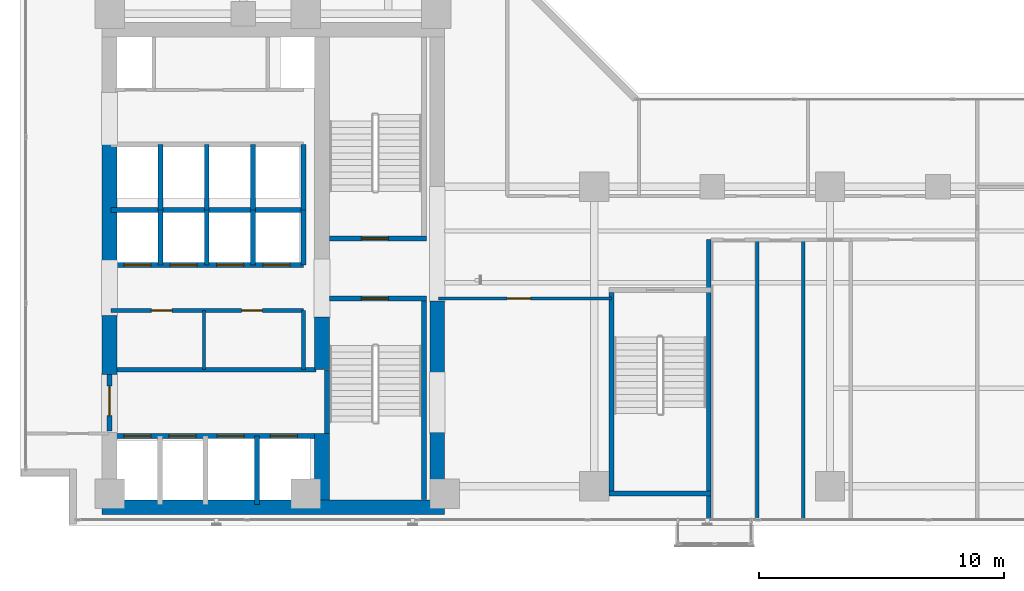
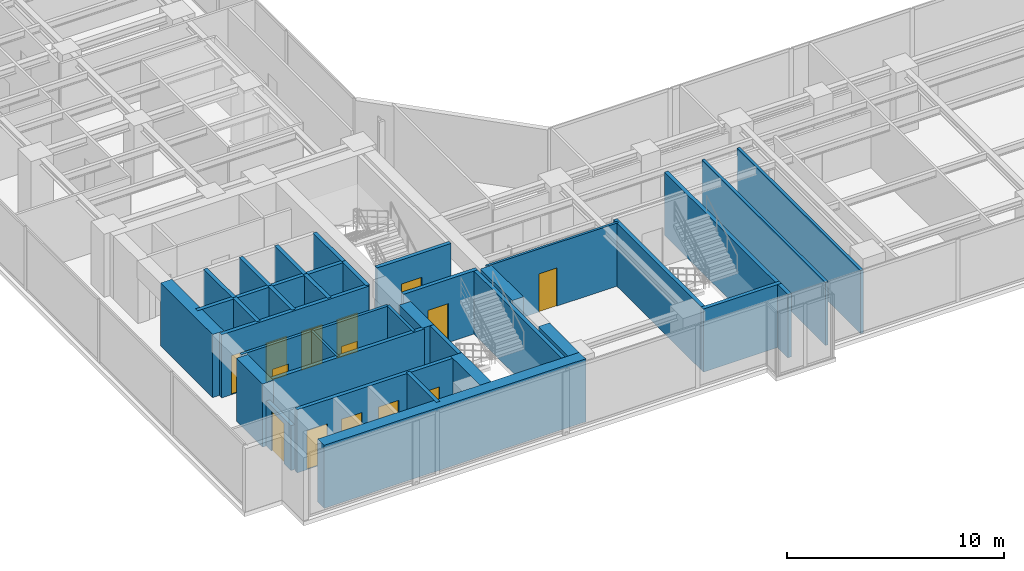
# One storey, part 19 of 23: 34 walls, 14 doors, 14 openings.
"""IFC4 building model written with IfcOpenShell, lengths in metres."""

from ifc_helpers import new_model, si_unit, direction, frame, frame_2d, origin, place, context, subcontext, project, spatial, rectangle, extrude, material, layer, layer_set, type_object, element, fill, save


model = new_model("IFC4")

# Units and contexts
model_context = context("Model", 3, precision=1e-05, world=origin(), true_north=direction((0.0, 1.0)))
body_context = subcontext(model_context, "Body", "Model", "MODEL_VIEW")
ifc_project = project(units=[si_unit("LENGTHUNIT", "METRE"), si_unit("AREAUNIT", "SQUARE_METRE"), si_unit("VOLUMEUNIT", "CUBIC_METRE"), si_unit("PLANEANGLEUNIT", "RADIAN"), si_unit("MASSUNIT", "GRAM", prefix="KILO")], contexts=[model_context])

# Site, building, storey
site_placement = place(None, origin())
site = spatial("IfcSite", under=ifc_project, at=site_placement, CompositionType="ELEMENT")
building_placement = place(site_placement, origin())
building = spatial("IfcBuilding", under=site, at=building_placement, Name="Kolvaren Waterfront Exchange", CompositionType="ELEMENT")
storey_placement = place(building_placement, frame((0.0, 0.0, 188.0)))
storey = spatial("IfcBuildingStorey", under=building, at=storey_placement, Name="L48", CompositionType="ELEMENT", Elevation=188.0)

# Wall, opening, door
ifc_material_1 = material(Name="Precast concrete C40/50", Category="concrete")
ifc_layer_1 = layer(ifc_material_1, 0.199951171875, Name="Precast concrete C40/50")
ifc_layer_set_1 = layer_set([ifc_layer_1], Name="Precast concrete C40/50")
wall_type_1 = type_object("IfcWallType", Name="ARC-FIRE-200", PredefinedType="PARTITIONING", material=ifc_layer_set_1)
wall_1_placement = place(storey_placement, frame((16.39990234375, 12.85009765625, 0.0), z_axis=(0.0, 0.0, 1.0), x_axis=(1.0, 0.0, 0.0)))
wall_1 = element("IfcWall", 1, at=wall_1_placement, inside=storey, type_object=wall_type_1, Name="L48 interior wall PW-L48-ST1-THROAT-S", PredefinedType="PARTITIONING", context=body_context, shape_type="SweptSolid", body=[
    extrude(rectangle(XDim=3.960205078125, YDim=0.199951171875, at=frame_2d((1.97998046875, 0.0))), origin(), (0.0, 0.0, 1.0), 3.56005859375),
])
opening_1_placement = place(wall_1_placement, frame((1.3037109375, 0.0, 0.0)))
opening_1 = element("IfcOpeningElement", 2, at=opening_1_placement, cuts=wall_1, Name="Opening FD2", PredefinedType="OPENING", context=body_context, shape_type="SweptSolid", body=[
    extrude(rectangle(XDim=1.10009765625, YDim=2.199951171875, at=frame_2d((0.550048828125, 1.10009765625))), frame((0.0, 0.10986328125, 0.0), z_axis=(0.0, -1.0, 0.0), x_axis=(1.0, 0.0, 0.0)), (0.0, 0.0, 1.0), 0.219970703125),
])
ifc_material_2 = material(Name="Pressed steel smoke-seal fire door", Category="steel")
door_type_1 = type_object("IfcDoorType", Name="ARC-FD-1100", OperationType="NOTDEFINED", PredefinedType="DOOR", material=ifc_material_2)
door_1_placement = place(opening_1_placement, frame((1.10009765625, 0.0, 0.0), z_axis=(0.0, 0.0, 1.0), x_axis=(-1.0, 0.0, 0.0)))
door_1 = element("IfcDoor", 3, at=door_1_placement, inside=storey, type_object=door_type_1, Name="L48 door DR-L48-ST1-IN (FD2)", OperationType="SINGLE_SWING_RIGHT", OverallHeight=2.199951171875, OverallWidth=1.10009765625, PredefinedType="DOOR", context=body_context, shape_type="SweptSolid", body=[
    extrude(rectangle(XDim=1.10009765625, YDim=2.199951171875, at=frame_2d((0.550048828125, 1.10009765625))), frame((0.0, 0.02490234375, 0.0), z_axis=(0.0, -1.0, 0.0), x_axis=(1.0, 0.0, 0.0)), (0.0, 0.0, 1.0), 0.050048828125),
])
fill(opening_1, door_1)

wall_2_placement = place(storey_placement, frame((16.409912109375, 15.300048828125, 0.0), z_axis=(0.0, 0.0, 1.0), x_axis=(1.0, 0.0, 0.0)))
wall_2 = element("IfcWall", 4, at=wall_2_placement, inside=storey, type_object=wall_type_1, Name="L48 interior wall PW-L48-ST2-THROAT-N", PredefinedType="PARTITIONING", context=body_context, shape_type="SweptSolid", body=[
    extrude(rectangle(XDim=3.9501953125, YDim=0.199951171875, at=frame_2d((1.97509765625, 0.0))), origin(), (0.0, 0.0, 1.0), 3.56005859375),
])
opening_2_placement = place(wall_2_placement, frame((1.293701171875, 0.0, 0.0)))
opening_2 = element("IfcOpeningElement", 5, at=opening_2_placement, cuts=wall_2, Name="Opening FD2", PredefinedType="OPENING", context=body_context, shape_type="SweptSolid", body=[
    extrude(rectangle(XDim=1.10009765625, YDim=2.199951171875, at=frame_2d((0.550048828125, 1.10009765625))), frame((0.0, 0.10986328125, 0.0), z_axis=(0.0, -1.0, 0.0), x_axis=(1.0, 0.0, 0.0)), (0.0, 0.0, 1.0), 0.219970703125),
])
door_2_placement = place(opening_2_placement, origin())
door_2 = element("IfcDoor", 6, at=door_2_placement, inside=storey, type_object=door_type_1, Name="L48 door DR-L48-ST2-IN (FD2)", OperationType="SINGLE_SWING_LEFT", OverallHeight=2.199951171875, OverallWidth=1.10009765625, PredefinedType="DOOR", context=body_context, shape_type="SweptSolid", body=[
    extrude(rectangle(XDim=1.10009765625, YDim=2.199951171875, at=frame_2d((0.550048828125, 1.10009765625))), frame((0.0, 0.02490234375, 0.0), z_axis=(0.0, -1.0, 0.0), x_axis=(1.0, 0.0, 0.0)), (0.0, 0.0, 1.0), 0.050048828125),
])
fill(opening_2, door_2)

# Wall
wall_3_placement = place(storey_placement, frame((7.5, 9.949951171875, 0.0), z_axis=(0.0, 0.0, 1.0), x_axis=(1.0, 0.0, 0.0)))
element("IfcWall", 7, at=wall_3_placement, inside=storey, type_object=wall_type_1, Name="L48 interior wall PW-L48-FF-N", PredefinedType="PARTITIONING", context=body_context, shape_type="SweptSolid", body=[
    extrude(rectangle(XDim=8.35009765625, YDim=0.199951171875, at=frame_2d((4.175048828125, 0.0))), origin(), (0.0, 0.0, 1.0), 3.56005859375),
])

# Wall, opening, door
wall_4_placement = place(storey_placement, frame((7.449951171875, 7.449951171875, 0.0), z_axis=(0.0, 0.0, 1.0), x_axis=(0.0, 1.0, 0.0)))
wall_4 = element("IfcWall", 8, at=wall_4_placement, inside=storey, type_object=wall_type_1, Name="L48 interior wall PW-L48-FF-W-DOOR", PredefinedType="PARTITIONING", context=body_context, shape_type="SweptSolid", body=[
    extrude(rectangle(XDim=2.300048828125, YDim=0.199951171875, at=frame_2d((1.14990234375, 0.0))), origin(), (0.0, 0.0, 1.0), 2.5400390625),
])
opening_3_placement = place(wall_4_placement, frame((0.63330078125, 0.0, 0.0)))
opening_3 = element("IfcOpeningElement", 9, at=opening_3_placement, cuts=wall_4, Name="Opening FD3", PredefinedType="OPENING", context=body_context, shape_type="SweptSolid", body=[
    extrude(rectangle(XDim=1.199951171875, YDim=2.25, at=frame_2d((0.60009765625, 1.125))), frame((0.0, 0.10986328125, 0.0), z_axis=(0.0, -1.0, 0.0), x_axis=(1.0, 0.0, 0.0)), (0.0, 0.0, 1.0), 0.219970703125),
])
ifc_material_3 = material(Name="Pressed steel fire door", Category="steel")
door_type_2 = type_object("IfcDoorType", Name="ARC-FD-1200", OperationType="NOTDEFINED", PredefinedType="DOOR", material=ifc_material_3)
door_3_placement = place(opening_3_placement, frame((1.199951171875, 0.0, 0.0), z_axis=(0.0, 0.0, 1.0), x_axis=(-1.0, 0.0, 0.0)))
door_3 = element("IfcDoor", 10, at=door_3_placement, inside=storey, type_object=door_type_2, Name="L48 door DR-L48-FF-OUT (FD3)", OperationType="SINGLE_SWING_LEFT", OverallHeight=2.25, OverallWidth=1.199951171875, PredefinedType="DOOR", context=body_context, shape_type="SweptSolid", body=[
    extrude(rectangle(XDim=1.199951171875, YDim=2.25, at=frame_2d((0.60009765625, 1.125))), frame((0.0, 0.02490234375, 0.0), z_axis=(0.0, -1.0, 0.0), x_axis=(1.0, 0.0, 0.0)), (0.0, 0.0, 1.0), 0.050048828125),
])
fill(opening_3, door_3)

# Wall
ifc_material_4 = material(Name="Acoustic gypsum steel stud", Category="steel")
ifc_layer_2 = layer(ifc_material_4, 0.125, Name="Acoustic gypsum steel stud")
ifc_layer_set_2 = layer_set([ifc_layer_2], Name="Acoustic gypsum steel stud")
wall_type_2 = type_object("IfcWallType", Name="ARC-PART-125", PredefinedType="PARTITIONING", material=ifc_layer_set_2)
wall_5_placement = place(storey_placement, frame((11.300048828125, 9.949951171875, 0.0), z_axis=(0.0, 0.0, 1.0), x_axis=(0.0, 1.0, 0.0)))
element("IfcWall", 11, at=wall_5_placement, inside=storey, type_object=wall_type_2, Name="L48 interior wall PW-L48-REC-PL-MID", PredefinedType="PARTITIONING", context=body_context, shape_type="SweptSolid", body=[
    extrude(rectangle(XDim=2.41015625, YDim=0.125, at=frame_2d((1.205078125, 0.0))), origin(), (0.0, 0.0, 1.0), 3.56005859375),
])

# Wall, opening, door
wall_6_placement = place(storey_placement, frame((20.85009765625, 12.85009765625, 0.0), z_axis=(0.0, 0.0, 1.0), x_axis=(1.0, 0.0, 0.0)))
wall_6 = element("IfcWall", 12, at=wall_6_placement, inside=storey, type_object=wall_type_2, Name="L48 interior wall PW-L48-SWST3-N", PredefinedType="PARTITIONING", context=body_context, shape_type="SweptSolid", body=[
    extrude(rectangle(XDim=7.0498046875, YDim=0.125, at=frame_2d((3.52490234375, 0.0))), origin(), (0.0, 0.0, 1.0), 3.56005859375),
])
opening_4_placement = place(wall_6_placement, frame((2.800048828125, 0.0, 0.0)))
opening_4 = element("IfcOpeningElement", 13, at=opening_4_placement, cuts=wall_6, Name="Opening D02", PredefinedType="OPENING", context=body_context, shape_type="SweptSolid", body=[
    extrude(rectangle(XDim=0.949951171875, YDim=2.14990234375, at=frame_2d((0.47509765625, 1.074951171875))), frame((0.0, 0.072509765625, 0.0), z_axis=(0.0, -1.0, 0.0), x_axis=(1.0, 0.0, 0.0)), (0.0, 0.0, 1.0), 0.14501953125),
])
ifc_material_5 = material(Name="Oak veneer acoustic timber", Category="wood")
door_type_3 = type_object("IfcDoorType", Name="ARC-DR-950", OperationType="NOTDEFINED", PredefinedType="DOOR", material=ifc_material_5)
door_4_placement = place(opening_4_placement, origin())
door_4 = element("IfcDoor", 14, at=door_4_placement, inside=storey, type_object=door_type_3, Name="L48 door DR-L48-SWST3-D (D02)", OperationType="SINGLE_SWING_LEFT", OverallHeight=2.14990234375, OverallWidth=0.949951171875, PredefinedType="DOOR", context=body_context, shape_type="SweptSolid", body=[
    extrude(rectangle(XDim=0.949951171875, YDim=2.14990234375, at=frame_2d((0.47509765625, 1.074951171875))), frame((0.0, 0.02490234375, 0.0), z_axis=(0.0, -1.0, 0.0), x_axis=(1.0, 0.0, 0.0)), (0.0, 0.0, 1.0), 0.050048828125),
])
fill(opening_4, door_4)

# Wall, openings, doors
ifc_material_6 = material(Name="Gypsum fireboard steel stud", Category="steel")
ifc_layer_3 = layer(ifc_material_6, 0.14990234375, Name="Gypsum fireboard steel stud")
ifc_layer_set_3 = layer_set([ifc_layer_3], Name="Gypsum fireboard steel stud")
wall_type_3 = type_object("IfcWallType", Name="ARC-PART-150", PredefinedType="PARTITIONING", material=ifc_layer_set_3)
wall_7_placement = place(storey_placement, frame((7.5, 12.360107421875, 0.0), z_axis=(0.0, 0.0, 1.0), x_axis=(1.0, 0.0, 0.0)))
wall_7 = element("IfcWall", 15, at=wall_7_placement, inside=storey, type_object=wall_type_3, Name="L48 interior wall PW-L48-REC-PL-N", PredefinedType="PARTITIONING", context=body_context, shape_type="SweptSolid", body=[
    extrude(rectangle(XDim=7.85009765625, YDim=0.14990234375, at=frame_2d((3.925048828125, 0.0))), origin(), (0.0, 0.0, 1.0), 3.56005859375),
])
opening_5_placement = place(wall_7_placement, frame((1.64990234375, 0.0, 0.0)))
opening_5 = element("IfcOpeningElement", 16, at=opening_5_placement, cuts=wall_7, Name="Opening D01", PredefinedType="OPENING", context=body_context, shape_type="SweptSolid", body=[
    extrude(rectangle(XDim=0.85009765625, YDim=2.14990234375, at=frame_2d((0.425048828125, 1.074951171875))), frame((0.0, 0.0849609375, 0.0), z_axis=(0.0, -1.0, 0.0), x_axis=(1.0, 0.0, 0.0)), (0.0, 0.0, 1.0), 0.169921875),
])
opening_6_placement = place(wall_7_placement, frame((5.329345703125, 0.0, 0.0)))
opening_6 = element("IfcOpeningElement", 17, at=opening_6_placement, cuts=wall_7, Name="Opening D01", PredefinedType="OPENING", context=body_context, shape_type="SweptSolid", body=[
    extrude(rectangle(XDim=0.85009765625, YDim=2.14990234375, at=frame_2d((0.425048828125, 1.074951171875))), frame((0.0, 0.0849609375, 0.0), z_axis=(0.0, -1.0, 0.0), x_axis=(1.0, 0.0, 0.0)), (0.0, 0.0, 1.0), 0.169921875),
])
ifc_material_7 = material(Name="Oak veneer timber leaf", Category="wood")
door_type_4 = type_object("IfcDoorType", Name="ARC-DR-900", OperationType="NOTDEFINED", PredefinedType="DOOR", material=ifc_material_7)
door_5_placement = place(opening_5_placement, origin())
door_5 = element("IfcDoor", 18, at=door_5_placement, inside=storey, type_object=door_type_4, Name="L48 door DR-L48-REC-PL-D1 (D01)", OperationType="SINGLE_SWING_RIGHT", OverallHeight=2.14990234375, OverallWidth=0.85009765625, PredefinedType="DOOR", context=body_context, shape_type="SweptSolid", body=[
    extrude(rectangle(XDim=0.85009765625, YDim=2.14990234375, at=frame_2d((0.425048828125, 1.074951171875))), frame((0.0, 0.02490234375, 0.0), z_axis=(0.0, -1.0, 0.0), x_axis=(1.0, 0.0, 0.0)), (0.0, 0.0, 1.0), 0.050048828125),
])
fill(opening_5, door_5)
door_6_placement = place(opening_6_placement, origin())
door_6 = element("IfcDoor", 19, at=door_6_placement, inside=storey, type_object=door_type_4, Name="L48 door DR-L48-REC-PL-D2 (D01)", OperationType="SINGLE_SWING_LEFT", OverallHeight=2.14990234375, OverallWidth=0.85009765625, PredefinedType="DOOR", context=body_context, shape_type="SweptSolid", body=[
    extrude(rectangle(XDim=0.85009765625, YDim=2.14990234375, at=frame_2d((0.425048828125, 1.074951171875))), frame((0.0, 0.02490234375, 0.0), z_axis=(0.0, -1.0, 0.0), x_axis=(1.0, 0.0, 0.0)), (0.0, 0.0, 1.0), 0.050048828125),
])
fill(opening_6, door_6)

# Walls
wall_8_placement = place(storey_placement, frame((15.35009765625, 9.949951171875, 0.0), z_axis=(0.0, 0.0, 1.0), x_axis=(0.0, 1.0, 0.0)))
element("IfcWall", 20, at=wall_8_placement, inside=storey, type_object=wall_type_3, Name="L48 interior wall PW-L48-REC-PL-E", PredefinedType="PARTITIONING", context=body_context, shape_type="SweptSolid", body=[
    extrude(rectangle(XDim=2.41015625, YDim=0.14990234375, at=frame_2d((1.205078125, 0.0))), origin(), (0.0, 0.0, 1.0), 3.56005859375),
])
ifc_material_8 = material(Name="Moisture-resistant gypsum stud")
ifc_layer_4 = layer(ifc_material_8, 0.14990234375, Name="Moisture-resistant gypsum stud")
ifc_layer_set_4 = layer_set([ifc_layer_4], Name="Moisture-resistant gypsum stud")
wall_type_4 = type_object("IfcWallType", Name="ARC-PLUMB-150", PredefinedType="PLUMBINGWALL", material=ifc_layer_set_4)
for number, where, z_axis, x_axis, name in (
    (21, (33.830078125, 3.840087890625, 0.0), (0.0, 0.0, 1.0), (0.0, 1.0, 0.0), "L48 interior wall PW-L48-WC-1"),
    (22, (35.7099609375, 3.840087890625, 0.0), (0.0, 0.0, 1.0), (0.0, 1.0, 0.0), "L48 interior wall PW-L48-WC-2"),
):
    element("IfcWall", number, at=place(storey_placement, frame(where, z_axis=z_axis, x_axis=x_axis)), inside=storey, type_object=wall_type_4, Name=name, PredefinedType="PLUMBINGWALL", context=body_context, shape_type="SweptSolid", body=[
        extrude(rectangle(XDim=11.409912109375, YDim=0.14990234375, at=frame_2d((5.705078125, 0.0))), origin(), (0.0, 0.0, 1.0), 3.56005859375),
    ])
ifc_material_9 = material(Name="Concrete C40/50", Category="concrete")
ifc_layer_5 = layer(ifc_material_9, 0.199951171875, Name="Concrete C40/50")
ifc_layer_set_5 = layer_set([ifc_layer_5], Name="Concrete C40/50")
wall_type_5 = type_object("IfcWallType", Name="ARC-SHAFT-200", PredefinedType="PARTITIONING", material=ifc_layer_set_5)
wall_9_placement = place(storey_placement, frame((16.300048828125, 7.360107421875, 0.0), z_axis=(0.0, 0.0, 1.0), x_axis=(0.0, 1.0, 0.0)))
element("IfcWall", 23, at=wall_9_placement, inside=storey, type_object=wall_type_5, Name="L48 structural stairwell wall PW-L48-ST1-W", PredefinedType="SHEAR", context=body_context, shape_type="SweptSolid", body=[
    extrude(rectangle(XDim=2.579833984375, YDim=0.199951171875, at=frame_2d((1.2900390625, 0.0))), origin(), (0.0, 0.0, 1.0), 3.56005859375),
])
wall_10_placement = place(storey_placement, frame((20.260009765625, 4.659912109375, 0.0), z_axis=(0.0, 0.0, 1.0), x_axis=(0.0, 1.0, 0.0)))
element("IfcWall", 24, at=wall_10_placement, inside=storey, type_object=wall_type_5, Name="L48 structural stairwell wall PW-L48-ST1-E", PredefinedType="SHEAR", context=body_context, shape_type="SweptSolid", body=[
    extrude(rectangle(XDim=8.090087890625, YDim=0.199951171875, at=frame_2d((4.044921875, 0.0))), origin(), (0.0, 0.0, 1.0), 3.56005859375),
])
wall_11_placement = place(storey_placement, frame((27.89990234375, 5.0, 0.0), z_axis=(0.0, 0.0, 1.0), x_axis=(0.0, 1.0, 0.0)))
element("IfcWall", 25, at=wall_11_placement, inside=storey, type_object=wall_type_5, Name="L48 structural stairwell wall PW-L48-ST3-W", PredefinedType="SHEAR", context=body_context, shape_type="SweptSolid", body=[
    extrude(rectangle(XDim=8.10009765625, YDim=0.199951171875, at=frame_2d((4.050048828125, 0.0))), origin(), (0.0, 0.0, 1.0), 3.56005859375),
])
wall_12_placement = place(storey_placement, frame((31.860107421875, 3.840087890625, 0.0), z_axis=(0.0, 0.0, 1.0), x_axis=(0.0, 1.0, 0.0)))
element("IfcWall", 26, at=wall_12_placement, inside=storey, type_object=wall_type_5, Name="L48 structural stairwell wall PW-L48-ST3-E", PredefinedType="SHEAR", context=body_context, shape_type="SweptSolid", body=[
    extrude(rectangle(XDim=11.409912109375, YDim=0.199951171875, at=frame_2d((5.705078125, 0.0))), origin(), (0.0, 0.0, 1.0), 3.56005859375),
])
wall_13_placement = place(storey_placement, frame((27.800048828125, 4.89990234375, 0.0), z_axis=(0.0, 0.0, 1.0), x_axis=(1.0, 0.0, 0.0)))
element("IfcWall", 27, at=wall_13_placement, inside=storey, type_object=wall_type_5, Name="L48 structural stairwell wall PW-L48-ST3-S", PredefinedType="SHEAR", context=body_context, shape_type="SweptSolid", body=[
    extrude(rectangle(XDim=4.159912109375, YDim=0.199951171875, at=frame_2d((2.080078125, 0.0))), origin(), (0.0, 0.0, 1.0), 3.56005859375),
])

# Wall, openings, doors
wall_14_placement = place(storey_placement, frame((7.5, 7.25, 0.0), z_axis=(0.0, 0.0, 1.0), x_axis=(1.0, 0.0, 0.0)))
wall_14 = element("IfcWall", 28, at=wall_14_placement, inside=storey, type_object=wall_type_5, Name="L48 interior wall PW-L48-FF-S", PredefinedType="PARTITIONING", context=body_context, shape_type="SweptSolid", body=[
    extrude(rectangle(XDim=8.35009765625, YDim=0.199951171875, at=frame_2d((4.175048828125, 0.0))), origin(), (0.0, 0.0, 1.0), 3.56005859375),
])
opening_7_placement = place(wall_14_placement, frame((0.530029296875, 0.0, 0.0)))
opening_7 = element("IfcOpeningElement", 29, at=opening_7_placement, cuts=wall_14, Name="Opening LD1", PredefinedType="OPENING", context=body_context, shape_type="SweptSolid", body=[
    extrude(rectangle(XDim=1.10009765625, YDim=2.199951171875, at=frame_2d((0.550048828125, 1.10009765625))), frame((0.0, 0.10986328125, 0.0), z_axis=(0.0, -1.0, 0.0), x_axis=(1.0, 0.0, 0.0)), (0.0, 0.0, 1.0), 0.219970703125),
])
opening_8_placement = place(wall_14_placement, frame((2.3701171875, 0.0, 0.0)))
opening_8 = element("IfcOpeningElement", 30, at=opening_8_placement, cuts=wall_14, Name="Opening LD1", PredefinedType="OPENING", context=body_context, shape_type="SweptSolid", body=[
    extrude(rectangle(XDim=1.10009765625, YDim=2.199951171875, at=frame_2d((0.550048828125, 1.10009765625))), frame((0.0, 0.10986328125, 0.0), z_axis=(0.0, -1.0, 0.0), x_axis=(1.0, 0.0, 0.0)), (0.0, 0.0, 1.0), 0.219970703125),
])
opening_9_placement = place(wall_14_placement, frame((4.330078125, 0.0, 0.0)))
opening_9 = element("IfcOpeningElement", 31, at=opening_9_placement, cuts=wall_14, Name="Opening LD1", PredefinedType="OPENING", context=body_context, shape_type="SweptSolid", body=[
    extrude(rectangle(XDim=1.10009765625, YDim=2.199951171875, at=frame_2d((0.550048828125, 1.10009765625))), frame((0.0, 0.10986328125, 0.0), z_axis=(0.0, -1.0, 0.0), x_axis=(1.0, 0.0, 0.0)), (0.0, 0.0, 1.0), 0.219970703125),
])
opening_10_placement = place(wall_14_placement, frame((6.5, 0.0, 0.0)))
opening_10 = element("IfcOpeningElement", 32, at=opening_10_placement, cuts=wall_14, Name="Opening LD1", PredefinedType="OPENING", context=body_context, shape_type="SweptSolid", body=[
    extrude(rectangle(XDim=1.10009765625, YDim=2.199951171875, at=frame_2d((0.550048828125, 1.10009765625))), frame((0.0, 0.10986328125, 0.0), z_axis=(0.0, -1.0, 0.0), x_axis=(1.0, 0.0, 0.0)), (0.0, 0.0, 1.0), 0.219970703125),
])
ifc_material_10 = material(Name="Stainless steel sliding landing door", Category="steel")
door_type_5 = type_object("IfcDoorType", Name="ARC-LD-FF", OperationType="SLIDING_TO_LEFT", PredefinedType="DOOR", material=ifc_material_10)
door_7_placement = place(opening_7_placement, origin())
door_7 = element("IfcDoor", 33, at=door_7_placement, inside=storey, type_object=door_type_5, Name="L48 door LD-L48-FFL1 (LD1)", OperationType="SLIDING_TO_LEFT", OverallHeight=2.199951171875, OverallWidth=1.10009765625, PredefinedType="DOOR", context=body_context, shape_type="SweptSolid", body=[
    extrude(rectangle(XDim=1.10009765625, YDim=2.199951171875, at=frame_2d((0.550048828125, 1.10009765625))), frame((0.0, 0.02490234375, 0.0), z_axis=(0.0, -1.0, 0.0), x_axis=(1.0, 0.0, 0.0)), (0.0, 0.0, 1.0), 0.050048828125),
])
fill(opening_7, door_7)
door_8_placement = place(opening_8_placement, origin())
door_8 = element("IfcDoor", 34, at=door_8_placement, inside=storey, type_object=door_type_5, Name="L48 door LD-L48-FFL2 (LD1)", OperationType="SLIDING_TO_LEFT", OverallHeight=2.199951171875, OverallWidth=1.10009765625, PredefinedType="DOOR", context=body_context, shape_type="SweptSolid", body=[
    extrude(rectangle(XDim=1.10009765625, YDim=2.199951171875, at=frame_2d((0.550048828125, 1.10009765625))), frame((0.0, 0.02490234375, 0.0), z_axis=(0.0, -1.0, 0.0), x_axis=(1.0, 0.0, 0.0)), (0.0, 0.0, 1.0), 0.050048828125),
])
fill(opening_8, door_8)
door_9_placement = place(opening_9_placement, origin())
door_9 = element("IfcDoor", 35, at=door_9_placement, inside=storey, type_object=door_type_5, Name="L48 door LD-L48-GL1 (LD1)", OperationType="SLIDING_TO_LEFT", OverallHeight=2.199951171875, OverallWidth=1.10009765625, PredefinedType="DOOR", context=body_context, shape_type="SweptSolid", body=[
    extrude(rectangle(XDim=1.10009765625, YDim=2.199951171875, at=frame_2d((0.550048828125, 1.10009765625))), frame((0.0, 0.02490234375, 0.0), z_axis=(0.0, -1.0, 0.0), x_axis=(1.0, 0.0, 0.0)), (0.0, 0.0, 1.0), 0.050048828125),
])
fill(opening_9, door_9)
door_10_placement = place(opening_10_placement, origin())
door_10 = element("IfcDoor", 36, at=door_10_placement, inside=storey, type_object=door_type_5, Name="L48 door LD-L48-GL2 (LD1)", OperationType="SLIDING_TO_LEFT", OverallHeight=2.199951171875, OverallWidth=1.10009765625, PredefinedType="DOOR", context=body_context, shape_type="SweptSolid", body=[
    extrude(rectangle(XDim=1.10009765625, YDim=2.199951171875, at=frame_2d((0.550048828125, 1.10009765625))), frame((0.0, 0.02490234375, 0.0), z_axis=(0.0, -1.0, 0.0), x_axis=(1.0, 0.0, 0.0)), (0.0, 0.0, 1.0), 0.050048828125),
])
fill(opening_10, door_10)

# Wall
wall_15_placement = place(storey_placement, frame((13.4599609375, 4.449951171875, 0.0), z_axis=(0.0, 0.0, 1.0), x_axis=(0.0, 1.0, 0.0)))
element("IfcWall", 37, at=wall_15_placement, inside=storey, type_object=wall_type_5, Name="L48 interior wall PW-L48-SH1-DIV-134", PredefinedType="PARTITIONING", context=body_context, shape_type="SweptSolid", body=[
    extrude(rectangle(XDim=2.800048828125, YDim=0.199951171875, at=frame_2d((1.39990234375, 0.0))), origin(), (0.0, 0.0, 1.0), 3.56005859375),
])

# Wall, openings, doors
wall_16_placement = place(storey_placement, frame((7.5, 14.219970703125, 0.0), z_axis=(0.0, 0.0, 1.0), x_axis=(1.0, 0.0, 0.0)))
wall_16 = element("IfcWall", 38, at=wall_16_placement, inside=storey, type_object=wall_type_5, Name="L48 interior wall PW-L48-PM-S", PredefinedType="PARTITIONING", context=body_context, shape_type="SweptSolid", body=[
    extrude(rectangle(XDim=7.85009765625, YDim=0.199951171875, at=frame_2d((3.925048828125, 0.0))), origin(), (0.0, 0.0, 1.0), 3.56005859375),
])
opening_11_placement = place(wall_16_placement, frame((0.530029296875, 0.0, 0.0)))
opening_11 = element("IfcOpeningElement", 39, at=opening_11_placement, cuts=wall_16, Name="Opening LD2", PredefinedType="OPENING", context=body_context, shape_type="SweptSolid", body=[
    extrude(rectangle(XDim=1.10009765625, YDim=2.199951171875, at=frame_2d((0.550048828125, 1.10009765625))), frame((0.0, 0.10986328125, 0.0), z_axis=(0.0, -1.0, 0.0), x_axis=(1.0, 0.0, 0.0)), (0.0, 0.0, 1.0), 0.219970703125),
])
opening_12_placement = place(wall_16_placement, frame((2.419921875, 0.0, 0.0)))
opening_12 = element("IfcOpeningElement", 40, at=opening_12_placement, cuts=wall_16, Name="Opening LD2", PredefinedType="OPENING", context=body_context, shape_type="SweptSolid", body=[
    extrude(rectangle(XDim=1.10009765625, YDim=2.199951171875, at=frame_2d((0.550048828125, 1.10009765625))), frame((0.0, 0.10986328125, 0.0), z_axis=(0.0, -1.0, 0.0), x_axis=(1.0, 0.0, 0.0)), (0.0, 0.0, 1.0), 0.219970703125),
])
opening_13_placement = place(wall_16_placement, frame((4.31005859375, 0.0, 0.0)))
opening_13 = element("IfcOpeningElement", 41, at=opening_13_placement, cuts=wall_16, Name="Opening LD2", PredefinedType="OPENING", context=body_context, shape_type="SweptSolid", body=[
    extrude(rectangle(XDim=1.10009765625, YDim=2.199951171875, at=frame_2d((0.550048828125, 1.10009765625))), frame((0.0, 0.10986328125, 0.0), z_axis=(0.0, -1.0, 0.0), x_axis=(1.0, 0.0, 0.0)), (0.0, 0.0, 1.0), 0.219970703125),
])
opening_14_placement = place(wall_16_placement, frame((6.199951171875, 0.0, 0.0)))
opening_14 = element("IfcOpeningElement", 42, at=opening_14_placement, cuts=wall_16, Name="Opening LD2", PredefinedType="OPENING", context=body_context, shape_type="SweptSolid", body=[
    extrude(rectangle(XDim=1.10009765625, YDim=2.199951171875, at=frame_2d((0.550048828125, 1.10009765625))), frame((0.0, 0.10986328125, 0.0), z_axis=(0.0, -1.0, 0.0), x_axis=(1.0, 0.0, 0.0)), (0.0, 0.0, 1.0), 0.219970703125),
])
ifc_material_11 = material(Name="Brushed bronze sliding landing door", Category="aluminium")
door_type_6 = type_object("IfcDoorType", Name="ARC-LD-PAX", OperationType="SLIDING_TO_LEFT", PredefinedType="DOOR", material=ifc_material_11)
door_11_placement = place(opening_11_placement, frame((1.10009765625, 0.0, 0.0), z_axis=(0.0, 0.0, 1.0), x_axis=(-1.0, 0.0, 0.0)))
door_11 = element("IfcDoor", 43, at=door_11_placement, inside=storey, type_object=door_type_6, Name="L48 door LD-L48-PM1 (LD2)", OperationType="SLIDING_TO_LEFT", OverallHeight=2.199951171875, OverallWidth=1.10009765625, PredefinedType="DOOR", context=body_context, shape_type="SweptSolid", body=[
    extrude(rectangle(XDim=1.10009765625, YDim=2.199951171875, at=frame_2d((0.550048828125, 1.10009765625))), frame((0.0, 0.02490234375, 0.0), z_axis=(0.0, -1.0, 0.0), x_axis=(1.0, 0.0, 0.0)), (0.0, 0.0, 1.0), 0.050048828125),
])
fill(opening_11, door_11)
door_12_placement = place(opening_12_placement, frame((1.10009765625, 0.0, 0.0), z_axis=(0.0, 0.0, 1.0), x_axis=(-1.0, 0.0, 0.0)))
door_12 = element("IfcDoor", 44, at=door_12_placement, inside=storey, type_object=door_type_6, Name="L48 door LD-L48-PM2 (LD2)", OperationType="SLIDING_TO_LEFT", OverallHeight=2.199951171875, OverallWidth=1.10009765625, PredefinedType="DOOR", context=body_context, shape_type="SweptSolid", body=[
    extrude(rectangle(XDim=1.10009765625, YDim=2.199951171875, at=frame_2d((0.550048828125, 1.10009765625))), frame((0.0, 0.02490234375, 0.0), z_axis=(0.0, -1.0, 0.0), x_axis=(1.0, 0.0, 0.0)), (0.0, 0.0, 1.0), 0.050048828125),
])
fill(opening_12, door_12)
door_13_placement = place(opening_13_placement, frame((1.10009765625, 0.0, 0.0), z_axis=(0.0, 0.0, 1.0), x_axis=(-1.0, 0.0, 0.0)))
door_13 = element("IfcDoor", 45, at=door_13_placement, inside=storey, type_object=door_type_6, Name="L48 door LD-L48-PM3 (LD2)", OperationType="SLIDING_TO_LEFT", OverallHeight=2.199951171875, OverallWidth=1.10009765625, PredefinedType="DOOR", context=body_context, shape_type="SweptSolid", body=[
    extrude(rectangle(XDim=1.10009765625, YDim=2.199951171875, at=frame_2d((0.550048828125, 1.10009765625))), frame((0.0, 0.02490234375, 0.0), z_axis=(0.0, -1.0, 0.0), x_axis=(1.0, 0.0, 0.0)), (0.0, 0.0, 1.0), 0.050048828125),
])
fill(opening_13, door_13)
door_14_placement = place(opening_14_placement, frame((1.10009765625, 0.0, 0.0), z_axis=(0.0, 0.0, 1.0), x_axis=(-1.0, 0.0, 0.0)))
door_14 = element("IfcDoor", 46, at=door_14_placement, inside=storey, type_object=door_type_6, Name="L48 door LD-L48-PM4 (LD2)", OperationType="SLIDING_TO_LEFT", OverallHeight=2.199951171875, OverallWidth=1.10009765625, PredefinedType="DOOR", context=body_context, shape_type="SweptSolid", body=[
    extrude(rectangle(XDim=1.10009765625, YDim=2.199951171875, at=frame_2d((0.550048828125, 1.10009765625))), frame((0.0, 0.02490234375, 0.0), z_axis=(0.0, -1.0, 0.0), x_axis=(1.0, 0.0, 0.0)), (0.0, 0.0, 1.0), 0.050048828125),
])
fill(opening_14, door_14)

# Walls
wall_17_placement = place(storey_placement, frame((7.5, 16.449951171875, 0.0), z_axis=(0.0, 0.0, 1.0), x_axis=(1.0, 0.0, 0.0)))
element("IfcWall", 47, at=wall_17_placement, inside=storey, type_object=wall_type_5, Name="L48 interior wall PW-L48-PM-N", PredefinedType="PARTITIONING", context=body_context, shape_type="SweptSolid", body=[
    extrude(rectangle(XDim=7.85009765625, YDim=0.199951171875, at=frame_2d((3.925048828125, 0.0))), origin(), (0.0, 0.0, 1.0), 3.56005859375),
])
for number, where, z_axis, x_axis, name in (
    (48, (15.35009765625, 14.219970703125, 0.0), (0.0, 0.0, 1.0), (0.0, 1.0, 0.0), "L48 interior wall PW-L48-PM-E"),
    (49, (9.52001953125, 14.219970703125, 0.0), (0.0, 0.0, 1.0), (0.0, 1.0, 0.0), "L48 interior wall PW-L48-SH3-DIV-95"),
    (50, (11.409912109375, 14.219970703125, 0.0), (0.0, 0.0, 1.0), (0.0, 1.0, 0.0), "L48 interior wall PW-L48-SH3-DIV-114"),
    (51, (13.300048828125, 14.219970703125, 0.0), (0.0, 0.0, 1.0), (0.0, 1.0, 0.0), "L48 interior wall PW-L48-SH3-DIV-133"),
):
    element("IfcWall", number, at=place(storey_placement, frame(where, z_axis=z_axis, x_axis=x_axis)), inside=storey, type_object=wall_type_5, Name=name, PredefinedType="PARTITIONING", context=body_context, shape_type="SweptSolid", body=[
        extrude(rectangle(XDim=2.22998046875, YDim=0.199951171875, at=frame_2d((1.114990234375, 0.0))), origin(), (0.0, 0.0, 1.0), 3.56005859375),
    ])
for number, where, z_axis, x_axis, name in (
    (52, (15.35009765625, 16.449951171875, 0.0), (0.0, 0.0, 1.0), (0.0, 1.0, 0.0), "L48 interior wall PW-L48-PH-E"),
    (53, (9.52001953125, 16.449951171875, 0.0), (0.0, 0.0, 1.0), (0.0, 1.0, 0.0), "L48 interior wall PW-L48-SH4-DIV-95"),
    (54, (11.409912109375, 16.449951171875, 0.0), (0.0, 0.0, 1.0), (0.0, 1.0, 0.0), "L48 interior wall PW-L48-SH4-DIV-114"),
    (55, (13.300048828125, 16.449951171875, 0.0), (0.0, 0.0, 1.0), (0.0, 1.0, 0.0), "L48 interior wall PW-L48-SH4-DIV-133"),
):
    element("IfcWall", number, at=place(storey_placement, frame(where, z_axis=z_axis, x_axis=x_axis)), inside=storey, type_object=wall_type_5, Name=name, PredefinedType="PARTITIONING", context=body_context, shape_type="SweptSolid", body=[
        extrude(rectangle(XDim=2.670166015625, YDim=0.199951171875, at=frame_2d((1.3349609375, 0.0))), origin(), (0.0, 0.0, 1.0), 3.56005859375),
    ])
ifc_material_12 = material(Name="Concrete C60/75", Category="concrete")
ifc_layer_6 = layer(ifc_material_12, 0.60009765625, Name="Concrete C60/75")
ifc_layer_set_6 = layer_set([ifc_layer_6], Name="Concrete C60/75")
wall_type_6 = type_object("IfcWallType", Name="STR-CWALL-600", PredefinedType="SHEAR", material=ifc_layer_set_6)
wall_18_placement = place(storey_placement, frame((7.14990234375, 4.35009765625, 0.0), z_axis=(0.0, 0.0, 1.0), x_axis=(1.0, 0.0, 0.0)))
element("IfcWall", 56, at=wall_18_placement, inside=storey, type_object=wall_type_6, Name="L48 rear-core shear wall S", PredefinedType="SHEAR", context=body_context, shape_type="SweptSolid", body=[
    extrude(rectangle(XDim=13.9501953125, YDim=0.60009765625, at=frame_2d((6.97509765625, 0.0))), origin(), (0.0, 0.0, 1.0), 3.56005859375),
])
wall_19_placement = place(storey_placement, frame((7.449951171875, 9.75, 0.0), z_axis=(0.0, 0.0, 1.0), x_axis=(0.0, 1.0, 0.0)))
element("IfcWall", 57, at=wall_19_placement, inside=storey, type_object=wall_type_6, Name="L48 rear-core shear wall W2A", PredefinedType="SHEAR", context=body_context, shape_type="SweptSolid", body=[
    extrude(rectangle(XDim=2.39990234375, YDim=0.60009765625, at=frame_2d((1.199951171875, 0.0))), origin(), (0.0, 0.0, 1.0), 3.56005859375),
])
wall_20_placement = place(storey_placement, frame((7.449951171875, 14.35009765625, 0.0), z_axis=(0.0, 0.0, 1.0), x_axis=(0.0, 1.0, 0.0)))
element("IfcWall", 58, at=wall_20_placement, inside=storey, type_object=wall_type_6, Name="L48 rear-core shear wall W2B", PredefinedType="SHEAR", context=body_context, shape_type="SweptSolid", body=[
    extrude(rectangle(XDim=4.809814453125, YDim=0.60009765625, at=frame_2d((2.40478515625, 0.0))), origin(), (0.0, 0.0, 1.0), 3.56005859375),
])
wall_21_placement = place(storey_placement, frame((20.800048828125, 4.64990234375, 0.0), z_axis=(0.0, 0.0, 1.0), x_axis=(0.0, 1.0, 0.0)))
element("IfcWall", 59, at=wall_21_placement, inside=storey, type_object=wall_type_6, Name="L48 rear-core shear wall E1", PredefinedType="SHEAR", context=body_context, shape_type="SweptSolid", body=[
    extrude(rectangle(XDim=2.75, YDim=0.60009765625, at=frame_2d((1.375, 0.0))), origin(), (0.0, 0.0, 1.0), 3.56005859375),
])
wall_22_placement = place(storey_placement, frame((20.800048828125, 9.800048828125, 0.0), z_axis=(0.0, 0.0, 1.0), x_axis=(0.0, 1.0, 0.0)))
element("IfcWall", 60, at=wall_22_placement, inside=storey, type_object=wall_type_6, Name="L48 rear-core shear wall E2", PredefinedType="SHEAR", context=body_context, shape_type="SweptSolid", body=[
    extrude(rectangle(XDim=2.949951171875, YDim=0.60009765625, at=frame_2d((1.47509765625, 0.0))), origin(), (0.0, 0.0, 1.0), 3.56005859375),
])
wall_23_placement = place(storey_placement, frame((16.10009765625, 4.64990234375, 0.0), z_axis=(0.0, 0.0, 1.0), x_axis=(0.0, 1.0, 0.0)))
element("IfcWall", 61, at=wall_23_placement, inside=storey, type_object=wall_type_6, Name="L48 rear-core shear wall M1", PredefinedType="SHEAR", context=body_context, shape_type="SweptSolid", body=[
    extrude(rectangle(XDim=2.7001953125, YDim=0.60009765625, at=frame_2d((1.35009765625, 0.0))), origin(), (0.0, 0.0, 1.0), 3.56005859375),
])
wall_24_placement = place(storey_placement, frame((16.10009765625, 9.949951171875, 0.0), z_axis=(0.0, 0.0, 1.0), x_axis=(0.0, 1.0, 0.0)))
element("IfcWall", 62, at=wall_24_placement, inside=storey, type_object=wall_type_6, Name="L48 rear-core shear wall M2", PredefinedType="SHEAR", context=body_context, shape_type="SweptSolid", body=[
    extrude(rectangle(XDim=2.150146484375, YDim=0.60009765625, at=frame_2d((1.0751953125, 0.0))), origin(), (0.0, 0.0, 1.0), 3.56005859375),
])

save(model, "model.ifc")
